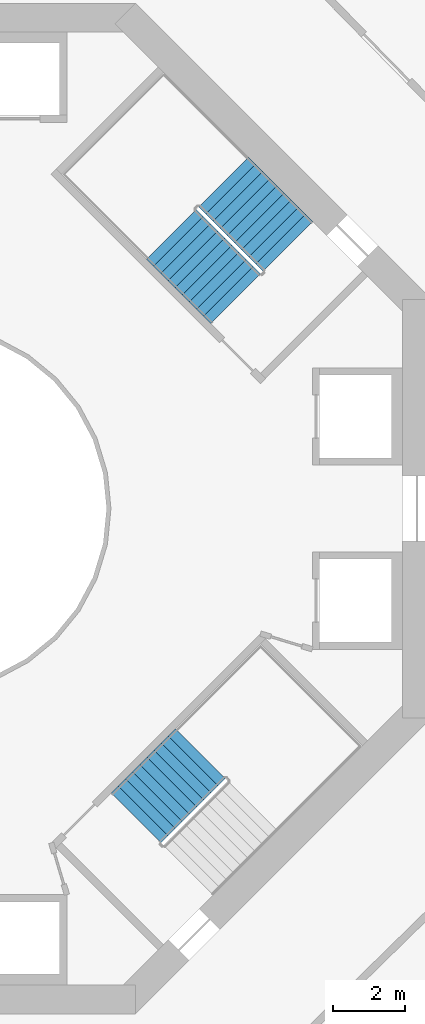
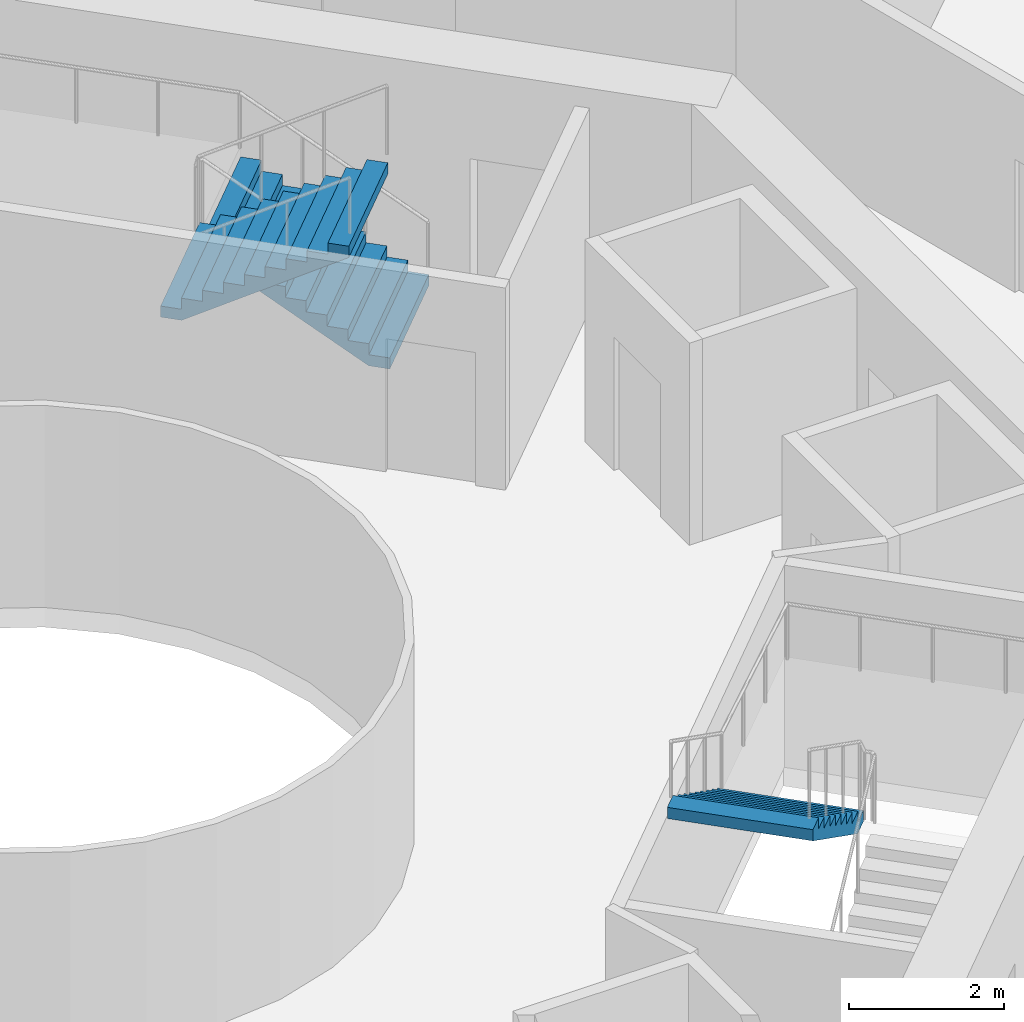
# One storey, part 25 of 26: 3 stair flights, 2 elements without a shape of their own.
"""IFC4 building model written with IfcOpenShell, lengths in metres."""

from ifc_helpers import new_model, si_unit, direction, frame, origin, place, context, subcontext, project, spatial, triangles, material, type_object, element, aggregate, save


model = new_model("IFC4")

# Units and contexts
model_context = context("Model", 3, precision=1e-05, world=origin(), true_north=direction((0.0, 1.0)))
body_context = subcontext(model_context, "Body", "Model", "MODEL_VIEW")
ifc_project = project(units=[si_unit("LENGTHUNIT", "METRE"), si_unit("AREAUNIT", "SQUARE_METRE"), si_unit("VOLUMEUNIT", "CUBIC_METRE"), si_unit("PLANEANGLEUNIT", "RADIAN"), si_unit("MASSUNIT", "GRAM", prefix="KILO")], contexts=[model_context])

# Site, building, storey
site_placement = place(None, origin())
site = spatial("IfcSite", under=ifc_project, at=site_placement, CompositionType="ELEMENT")
building_placement = place(site_placement, origin())
building = spatial("IfcBuilding", under=site, at=building_placement, Name="Verdalira Terraces Hotel", CompositionType="ELEMENT")
storey_placement = place(building_placement, frame((0.0, 0.0, 93.0)))
storey = spatial("IfcBuildingStorey", under=building, at=storey_placement, Name="L21", CompositionType="ELEMENT", Elevation=93.0)

# Stair, stair flights
ifc_material_1 = material(Name="Concrete C40", Category="concrete")
stair_type = type_object("IfcStairType", Name="Core stair 20 risers 1950 mm wide", PredefinedType="HALF_TURN_STAIR", material=ifc_material_1)
stair_1_placement = place(storey_placement, origin())
stair_1 = element("IfcStair", 1, at=stair_1_placement, inside=storey, type_object=stair_type, Name="L21 Exit stair ST1", PredefinedType="HALF_TURN_STAIR")
ifc_material_2 = material(Name="Concrete C40", Category="concrete")
stair_flight_type = type_object("IfcStairFlightType", Name="Core stair flight 20 risers 1950 mm wide", PredefinedType="STRAIGHT", material=ifc_material_2)
stair_flight_1_placement = place(storey_placement, frame((10.023193, 7.265625, 0.0), z_axis=(0.0, 0.0, 1.0), x_axis=(-0.707106781, 0.707106781, 0.0)))
stair_flight_1 = element("IfcStairFlight", 2, at=stair_flight_1_placement, type_object=stair_flight_type, Name="ST1 flight 1", NumberOfRisers=10, NumberOfTreads=9, PredefinedType="STRAIGHT", RiserHeight=0.175, TreadLength=0.28, context=body_context, shape_type="Tessellation", body=[
    triangles([(0.0, 0.974976, 0.0), (0.282715, 0.974976, 0.0), (2.52002, 0.974976, 1.398193), (0.0, -0.974976, 0.0), (0.282715, -0.974976, 0.0), (2.52002, -0.974976, 1.398193), (2.52002, 0.974976, 1.574951), (2.23999, 0.974976, 1.574951), (2.52002, -0.974976, 1.574951), (2.23999, -0.974976, 1.574951), (2.23999, 0.974976, 1.399902), (2.23999, -0.974976, 1.399902), (1.959961, 0.974976, 1.399902), (1.959961, -0.974976, 1.399902), (1.959961, 0.974976, 1.225098), (1.959961, -0.974976, 1.225098), (1.679932, 0.974976, 1.225098), (1.679932, 0.974976, 1.050049), (1.679932, -0.974976, 1.225098), (1.679932, -0.974976, 1.050049), (1.399902, 0.974976, 1.050049), (1.399902, 0.974976, 0.875), (1.399902, -0.974976, 1.050049), (1.399902, -0.974976, 0.875), (1.120117, 0.974976, 0.875), (1.120117, 0.974976, 0.699951), (1.120117, -0.974976, 0.875), (1.120117, -0.974976, 0.699951), (0.840088, 0.974976, 0.699951), (0.840088, 0.974976, 0.524902), (0.840088, -0.974976, 0.699951), (0.840088, -0.974976, 0.524902), (0.560059, 0.974976, 0.524902), (0.560059, 0.974976, 0.350098), (0.560059, -0.974976, 0.524902), (0.560059, -0.974976, 0.350098), (0.280029, 0.974976, 0.350098), (0.280029, 0.974976, 0.175049), (0.280029, -0.974976, 0.350098), (0.280029, -0.974976, 0.175049), (0.0, 0.974976, 0.175049), (0.0, -0.974976, 0.175049), (0.0, -0.91404, 0.0), (0.0, -0.91404, 0.175049), (0.0, -0.853104, 0.0), (0.0, -0.853104, 0.175049), (0.0, -0.792168, 0.0), (0.0, -0.792168, 0.175049), (0.0, -0.731232, 0.0), (0.0, -0.731232, 0.175049), (0.0, -0.670296, 0.0), (0.0, -0.670296, 0.175049), (0.0, -0.60936, 0.0), (0.0, -0.60936, 0.175049), (0.0, -0.548424, 0.0), (0.0, -0.548424, 0.175049), (0.0, -0.487488, 0.0), (0.0, -0.487488, 0.175049), (0.0, -0.426552, 0.0), (0.0, -0.426552, 0.175049), (0.0, -0.365616, 0.0), (0.0, -0.365616, 0.175049), (0.0, -0.30468, 0.0), (0.0, -0.30468, 0.175049), (0.0, -0.243744, 0.0), (0.0, -0.243744, 0.175049), (0.0, -0.182808, 0.0), (0.0, -0.182808, 0.175049), (0.0, -0.121872, 0.0), (0.0, -0.121872, 0.175049), (0.0, -0.060936, 0.0), (0.0, -0.060936, 0.175049), (0.0, 0.0, 0.0), (0.0, 0.0, 0.175049), (0.0, 0.060936, 0.0), (0.0, 0.060936, 0.175049), (0.0, 0.121872, 0.0), (0.0, 0.121872, 0.175049), (0.0, 0.182808, 0.0), (0.0, 0.182808, 0.175049), (0.0, 0.243744, 0.0), (0.0, 0.243744, 0.175049), (0.0, 0.30468, 0.0), (0.0, 0.30468, 0.175049), (0.0, 0.365616, 0.0), (0.0, 0.365616, 0.175049), (0.0, 0.426552, 0.0), (0.0, 0.426552, 0.175049), (0.0, 0.487488, 0.0), (0.0, 0.487488, 0.175049), (0.0, 0.548424, 0.0), (0.0, 0.548424, 0.175049), (0.0, 0.60936, 0.0), (0.0, 0.60936, 0.175049), (0.0, 0.670296, 0.0), (0.0, 0.670296, 0.175049), (0.0, 0.731232, 0.0), (0.0, 0.731232, 0.175049), (0.0, 0.792168, 0.0), (0.0, 0.792168, 0.175049), (0.0, 0.853104, 0.0), (0.0, 0.853104, 0.175049), (0.0, 0.91404, 0.0), (0.0, 0.91404, 0.175049), (2.52002, -0.91404, 1.574951), (2.52002, -0.853104, 1.574951), (2.52002, -0.792168, 1.574951), (2.52002, -0.731232, 1.574951), (2.52002, -0.670296, 1.574951), (2.52002, -0.60936, 1.574951), (2.52002, -0.548424, 1.574951), (2.52002, -0.487488, 1.574951), (2.52002, -0.426552, 1.574951), (2.52002, -0.365616, 1.574951), (2.52002, -0.30468, 1.574951), (2.52002, -0.243744, 1.574951), (2.52002, -0.182808, 1.574951), (2.52002, -0.121872, 1.574951), (2.52002, -0.060936, 1.574951), (2.52002, 0.0, 1.574951), (2.52002, 0.060936, 1.574951), (2.52002, 0.121872, 1.574951), (2.52002, 0.182808, 1.574951), (2.52002, 0.243744, 1.574951), (2.52002, 0.30468, 1.574951), (2.52002, 0.365616, 1.574951), (2.52002, 0.426552, 1.574951), (2.52002, 0.487488, 1.574951), (2.52002, 0.548424, 1.574951), (2.52002, 0.60936, 1.574951), (2.52002, 0.670296, 1.574951), (2.52002, 0.731232, 1.574951), (2.52002, 0.792168, 1.574951), (2.52002, 0.853104, 1.574951), (2.52002, 0.91404, 1.574951), (2.52002, -0.91404, 1.398193), (2.52002, -0.853104, 1.398193), (2.52002, -0.792168, 1.398193), (2.52002, -0.731232, 1.398193), (2.52002, -0.670296, 1.398193), (2.52002, -0.60936, 1.398193), (2.52002, -0.548424, 1.398193), (2.52002, -0.487488, 1.398193), (2.52002, -0.426552, 1.398193), (2.52002, -0.365616, 1.398193), (2.52002, -0.30468, 1.398193), (2.52002, -0.243744, 1.398193), (2.52002, -0.182808, 1.398193), (2.52002, -0.121872, 1.398193), (2.52002, -0.060936, 1.398193), (2.52002, 0.0, 1.398193), (2.52002, 0.060936, 1.398193), (2.52002, 0.121872, 1.398193), (2.52002, 0.182808, 1.398193), (2.52002, 0.243744, 1.398193), (2.52002, 0.30468, 1.398193), (2.52002, 0.365616, 1.398193), (2.52002, 0.426552, 1.398193), (2.52002, 0.487488, 1.398193), (2.52002, 0.548424, 1.398193), (2.52002, 0.60936, 1.398193), (2.52002, 0.670296, 1.398193), (2.52002, 0.731232, 1.398193), (2.52002, 0.792168, 1.398193), (2.52002, 0.853104, 1.398193), (2.52002, 0.91404, 1.398193)], [[1, 3, 2], [4, 5, 6], [3, 8, 7], [6, 9, 10], [3, 11, 8], [6, 10, 12], [3, 13, 11], [6, 12, 14], [3, 15, 13], [6, 14, 16], [15, 18, 17], [16, 19, 20], [3, 18, 15], [6, 16, 20], [18, 22, 21], [20, 23, 24], [3, 22, 18], [6, 20, 24], [22, 26, 25], [24, 27, 28], [3, 26, 22], [6, 24, 28], [26, 30, 29], [28, 31, 32], [3, 30, 26], [6, 28, 32], [1, 30, 3], [4, 6, 32], [30, 34, 33], [32, 35, 36], [34, 38, 37], [36, 39, 40], [30, 38, 34], [32, 36, 40], [1, 38, 30], [4, 32, 40], [38, 1, 41], [40, 42, 4], [4, 44, 43], [4, 42, 44], [43, 46, 45], [43, 44, 46], [45, 48, 47], [45, 46, 48], [47, 50, 49], [47, 48, 50], [49, 52, 51], [49, 50, 52], [51, 54, 53], [51, 52, 54], [53, 56, 55], [53, 54, 56], [55, 58, 57], [55, 56, 58], [57, 60, 59], [57, 58, 60], [59, 62, 61], [59, 60, 62], [61, 64, 63], [61, 62, 64], [63, 66, 65], [63, 64, 66], [65, 68, 67], [65, 66, 68], [67, 70, 69], [67, 68, 70], [69, 72, 71], [69, 70, 72], [71, 74, 73], [71, 72, 74], [73, 76, 75], [73, 74, 76], [75, 78, 77], [75, 76, 78], [77, 80, 79], [77, 78, 80], [79, 82, 81], [79, 80, 82], [81, 84, 83], [81, 82, 84], [83, 86, 85], [83, 84, 86], [85, 88, 87], [85, 86, 88], [87, 90, 89], [87, 88, 90], [89, 92, 91], [89, 90, 92], [91, 94, 93], [91, 92, 94], [93, 96, 95], [93, 94, 96], [95, 98, 97], [95, 96, 98], [97, 100, 99], [97, 98, 100], [99, 102, 101], [99, 100, 102], [101, 104, 103], [101, 102, 104], [103, 41, 1], [103, 104, 41], [42, 40, 44], [44, 40, 46], [46, 40, 48], [48, 40, 50], [50, 40, 52], [52, 40, 54], [54, 40, 56], [56, 40, 58], [58, 40, 60], [60, 40, 62], [62, 40, 64], [64, 40, 66], [66, 40, 68], [68, 40, 70], [70, 40, 72], [72, 40, 74], [74, 40, 76], [76, 40, 78], [78, 40, 80], [80, 40, 82], [82, 40, 84], [84, 40, 86], [86, 40, 88], [88, 40, 90], [90, 40, 92], [92, 40, 94], [94, 40, 96], [96, 40, 98], [98, 40, 100], [100, 40, 102], [102, 40, 104], [104, 40, 41], [41, 40, 38], [40, 37, 38], [40, 39, 37], [39, 34, 37], [39, 36, 34], [36, 33, 34], [36, 35, 33], [35, 30, 33], [35, 32, 30], [32, 29, 30], [32, 31, 29], [31, 26, 29], [31, 28, 26], [28, 25, 26], [28, 27, 25], [27, 22, 25], [27, 24, 22], [24, 21, 22], [24, 23, 21], [23, 18, 21], [23, 20, 18], [20, 17, 18], [20, 19, 17], [19, 15, 17], [19, 16, 15], [16, 13, 15], [16, 14, 13], [14, 11, 13], [14, 12, 11], [12, 8, 11], [12, 10, 8], [9, 105, 10], [105, 106, 10], [106, 107, 10], [107, 108, 10], [108, 109, 10], [109, 110, 10], [110, 111, 10], [111, 112, 10], [112, 113, 10], [113, 114, 10], [114, 115, 10], [115, 116, 10], [116, 117, 10], [117, 118, 10], [118, 119, 10], [119, 120, 10], [120, 121, 10], [121, 122, 10], [122, 123, 10], [123, 124, 10], [124, 125, 10], [125, 126, 10], [126, 127, 10], [127, 128, 10], [128, 129, 10], [129, 130, 10], [130, 131, 10], [131, 132, 10], [132, 133, 10], [133, 134, 10], [134, 135, 10], [135, 7, 10], [7, 8, 10], [9, 136, 105], [9, 6, 136], [105, 137, 106], [105, 136, 137], [106, 138, 107], [106, 137, 138], [107, 139, 108], [107, 138, 139], [108, 140, 109], [108, 139, 140], [109, 141, 110], [109, 140, 141], [110, 142, 111], [110, 141, 142], [111, 143, 112], [111, 142, 143], [112, 144, 113], [112, 143, 144], [113, 145, 114], [113, 144, 145], [114, 146, 115], [114, 145, 146], [115, 147, 116], [115, 146, 147], [116, 148, 117], [116, 147, 148], [117, 149, 118], [117, 148, 149], [118, 150, 119], [118, 149, 150], [119, 151, 120], [119, 150, 151], [120, 152, 121], [120, 151, 152], [121, 153, 122], [121, 152, 153], [122, 154, 123], [122, 153, 154], [123, 155, 124], [123, 154, 155], [124, 156, 125], [124, 155, 156], [125, 157, 126], [125, 156, 157], [126, 158, 127], [126, 157, 158], [127, 159, 128], [127, 158, 159], [128, 160, 129], [128, 159, 160], [129, 161, 130], [129, 160, 161], [130, 162, 131], [130, 161, 162], [131, 163, 132], [131, 162, 163], [132, 164, 133], [132, 163, 164], [133, 165, 134], [133, 164, 165], [134, 166, 135], [134, 165, 166], [135, 3, 7], [135, 166, 3], [6, 5, 136], [136, 5, 137], [137, 5, 138], [138, 5, 139], [139, 5, 140], [140, 5, 141], [141, 5, 142], [142, 5, 143], [143, 5, 144], [144, 5, 145], [145, 5, 146], [146, 5, 147], [147, 5, 148], [148, 5, 149], [149, 5, 150], [150, 5, 151], [151, 5, 152], [152, 5, 153], [153, 5, 154], [154, 5, 155], [155, 5, 156], [156, 5, 157], [157, 5, 158], [158, 5, 159], [159, 5, 160], [160, 5, 161], [161, 5, 162], [162, 5, 163], [163, 5, 164], [164, 5, 165], [165, 5, 166], [166, 5, 3], [3, 5, 2], [4, 43, 5], [43, 45, 5], [45, 47, 5], [47, 49, 5], [49, 51, 5], [51, 53, 5], [53, 55, 5], [55, 57, 5], [57, 59, 5], [59, 61, 5], [61, 63, 5], [63, 65, 5], [65, 67, 5], [67, 69, 5], [69, 71, 5], [71, 73, 5], [73, 75, 5], [75, 77, 5], [77, 79, 5], [79, 81, 5], [81, 83, 5], [83, 85, 5], [85, 87, 5], [87, 89, 5], [89, 91, 5], [91, 93, 5], [93, 95, 5], [95, 97, 5], [97, 99, 5], [99, 101, 5], [101, 103, 5], [103, 1, 5], [1, 2, 5]], closed=True),
])
stair_flight_2_placement = place(storey_placement, frame((6.791748, 7.5979, 1.75), z_axis=(0.0, 0.0, 1.0), x_axis=(0.707106781, -0.707106781, 0.0)))
stair_flight_2 = element("IfcStairFlight", 3, at=stair_flight_2_placement, type_object=stair_flight_type, Name="ST1 flight 2", NumberOfRisers=10, NumberOfTreads=9, PredefinedType="STRAIGHT", RiserHeight=0.175, TreadLength=0.28, context=body_context, shape_type="Tessellation", body=[
    triangles([(0.0, 0.974976, 0.0), (0.282715, 0.974976, 0.0), (2.52002, 0.974976, 1.398193), (0.0, -0.974976, 0.0), (0.282715, -0.974976, 0.0), (2.52002, -0.974976, 1.398193), (2.52002, 0.974976, 1.574951), (2.23999, 0.974976, 1.574951), (2.52002, -0.974976, 1.574951), (2.23999, -0.974976, 1.574951), (2.23999, 0.974976, 1.399902), (2.23999, -0.974976, 1.399902), (1.959961, 0.974976, 1.399902), (1.959961, -0.974976, 1.399902), (1.959961, 0.974976, 1.225098), (1.959961, -0.974976, 1.225098), (1.679932, 0.974976, 1.225098), (1.679932, 0.974976, 1.050049), (1.679932, -0.974976, 1.225098), (1.679932, -0.974976, 1.050049), (1.399902, 0.974976, 1.050049), (1.399902, 0.974976, 0.875), (1.399902, -0.974976, 1.050049), (1.399902, -0.974976, 0.875), (1.120117, 0.974976, 0.875), (1.120117, 0.974976, 0.699951), (1.120117, -0.974976, 0.875), (1.120117, -0.974976, 0.699951), (0.840088, 0.974976, 0.699951), (0.840088, 0.974976, 0.524902), (0.840088, -0.974976, 0.699951), (0.840088, -0.974976, 0.524902), (0.560059, 0.974976, 0.524902), (0.560059, 0.974976, 0.350098), (0.560059, -0.974976, 0.524902), (0.560059, -0.974976, 0.350098), (0.280029, 0.974976, 0.350098), (0.280029, 0.974976, 0.175049), (0.280029, -0.974976, 0.350098), (0.280029, -0.974976, 0.175049), (0.0, 0.974976, 0.175049), (0.0, -0.974976, 0.175049), (0.0, -0.91404, 0.0), (0.0, -0.91404, 0.175049), (0.0, -0.853104, 0.0), (0.0, -0.853104, 0.175049), (0.0, -0.792168, 0.0), (0.0, -0.792168, 0.175049), (0.0, -0.731232, 0.0), (0.0, -0.731232, 0.175049), (0.0, -0.670296, 0.0), (0.0, -0.670296, 0.175049), (0.0, -0.60936, 0.0), (0.0, -0.60936, 0.175049), (0.0, -0.548424, 0.0), (0.0, -0.548424, 0.175049), (0.0, -0.487488, 0.0), (0.0, -0.487488, 0.175049), (0.0, -0.426552, 0.0), (0.0, -0.426552, 0.175049), (0.0, -0.365616, 0.0), (0.0, -0.365616, 0.175049), (0.0, -0.30468, 0.0), (0.0, -0.30468, 0.175049), (0.0, -0.243744, 0.0), (0.0, -0.243744, 0.175049), (0.0, -0.182808, 0.0), (0.0, -0.182808, 0.175049), (0.0, -0.121872, 0.0), (0.0, -0.121872, 0.175049), (0.0, -0.060936, 0.0), (0.0, -0.060936, 0.175049), (0.0, 0.0, 0.0), (0.0, 0.0, 0.175049), (0.0, 0.060936, 0.0), (0.0, 0.060936, 0.175049), (0.0, 0.121872, 0.0), (0.0, 0.121872, 0.175049), (0.0, 0.182808, 0.0), (0.0, 0.182808, 0.175049), (0.0, 0.243744, 0.0), (0.0, 0.243744, 0.175049), (0.0, 0.30468, 0.0), (0.0, 0.30468, 0.175049), (0.0, 0.365616, 0.0), (0.0, 0.365616, 0.175049), (0.0, 0.426552, 0.0), (0.0, 0.426552, 0.175049), (0.0, 0.487488, 0.0), (0.0, 0.487488, 0.175049), (0.0, 0.548424, 0.0), (0.0, 0.548424, 0.175049), (0.0, 0.60936, 0.0), (0.0, 0.60936, 0.175049), (0.0, 0.670296, 0.0), (0.0, 0.670296, 0.175049), (0.0, 0.731232, 0.0), (0.0, 0.731232, 0.175049), (0.0, 0.792168, 0.0), (0.0, 0.792168, 0.175049), (0.0, 0.853104, 0.0), (0.0, 0.853104, 0.175049), (0.0, 0.91404, 0.0), (0.0, 0.91404, 0.175049), (2.52002, -0.91404, 1.574951), (2.52002, -0.853104, 1.574951), (2.52002, -0.792168, 1.574951), (2.52002, -0.731232, 1.574951), (2.52002, -0.670296, 1.574951), (2.52002, -0.60936, 1.574951), (2.52002, -0.548424, 1.574951), (2.52002, -0.487488, 1.574951), (2.52002, -0.426552, 1.574951), (2.52002, -0.365616, 1.574951), (2.52002, -0.30468, 1.574951), (2.52002, -0.243744, 1.574951), (2.52002, -0.182808, 1.574951), (2.52002, -0.121872, 1.574951), (2.52002, -0.060936, 1.574951), (2.52002, 0.0, 1.574951), (2.52002, 0.060936, 1.574951), (2.52002, 0.121872, 1.574951), (2.52002, 0.182808, 1.574951), (2.52002, 0.243744, 1.574951), (2.52002, 0.30468, 1.574951), (2.52002, 0.365616, 1.574951), (2.52002, 0.426552, 1.574951), (2.52002, 0.487488, 1.574951), (2.52002, 0.548424, 1.574951), (2.52002, 0.60936, 1.574951), (2.52002, 0.670296, 1.574951), (2.52002, 0.731232, 1.574951), (2.52002, 0.792168, 1.574951), (2.52002, 0.853104, 1.574951), (2.52002, 0.91404, 1.574951), (2.52002, -0.91404, 1.398193), (2.52002, -0.853104, 1.398193), (2.52002, -0.792168, 1.398193), (2.52002, -0.731232, 1.398193), (2.52002, -0.670296, 1.398193), (2.52002, -0.60936, 1.398193), (2.52002, -0.548424, 1.398193), (2.52002, -0.487488, 1.398193), (2.52002, -0.426552, 1.398193), (2.52002, -0.365616, 1.398193), (2.52002, -0.30468, 1.398193), (2.52002, -0.243744, 1.398193), (2.52002, -0.182808, 1.398193), (2.52002, -0.121872, 1.398193), (2.52002, -0.060936, 1.398193), (2.52002, 0.0, 1.398193), (2.52002, 0.060936, 1.398193), (2.52002, 0.121872, 1.398193), (2.52002, 0.182808, 1.398193), (2.52002, 0.243744, 1.398193), (2.52002, 0.30468, 1.398193), (2.52002, 0.365616, 1.398193), (2.52002, 0.426552, 1.398193), (2.52002, 0.487488, 1.398193), (2.52002, 0.548424, 1.398193), (2.52002, 0.60936, 1.398193), (2.52002, 0.670296, 1.398193), (2.52002, 0.731232, 1.398193), (2.52002, 0.792168, 1.398193), (2.52002, 0.853104, 1.398193), (2.52002, 0.91404, 1.398193)], [[1, 3, 2], [4, 5, 6], [3, 8, 7], [6, 9, 10], [3, 11, 8], [6, 10, 12], [3, 13, 11], [6, 12, 14], [3, 15, 13], [6, 14, 16], [15, 18, 17], [16, 19, 20], [3, 18, 15], [6, 16, 20], [18, 22, 21], [20, 23, 24], [3, 22, 18], [6, 20, 24], [22, 26, 25], [24, 27, 28], [3, 26, 22], [6, 24, 28], [26, 30, 29], [28, 31, 32], [3, 30, 26], [6, 28, 32], [1, 30, 3], [4, 6, 32], [30, 34, 33], [32, 35, 36], [34, 38, 37], [36, 39, 40], [30, 38, 34], [32, 36, 40], [1, 38, 30], [4, 32, 40], [38, 1, 41], [40, 42, 4], [4, 44, 43], [4, 42, 44], [43, 46, 45], [43, 44, 46], [45, 48, 47], [45, 46, 48], [47, 50, 49], [47, 48, 50], [49, 52, 51], [49, 50, 52], [51, 54, 53], [51, 52, 54], [53, 56, 55], [53, 54, 56], [55, 58, 57], [55, 56, 58], [57, 60, 59], [57, 58, 60], [59, 62, 61], [59, 60, 62], [61, 64, 63], [61, 62, 64], [63, 66, 65], [63, 64, 66], [65, 68, 67], [65, 66, 68], [67, 70, 69], [67, 68, 70], [69, 72, 71], [69, 70, 72], [71, 74, 73], [71, 72, 74], [73, 76, 75], [73, 74, 76], [75, 78, 77], [75, 76, 78], [77, 80, 79], [77, 78, 80], [79, 82, 81], [79, 80, 82], [81, 84, 83], [81, 82, 84], [83, 86, 85], [83, 84, 86], [85, 88, 87], [85, 86, 88], [87, 90, 89], [87, 88, 90], [89, 92, 91], [89, 90, 92], [91, 94, 93], [91, 92, 94], [93, 96, 95], [93, 94, 96], [95, 98, 97], [95, 96, 98], [97, 100, 99], [97, 98, 100], [99, 102, 101], [99, 100, 102], [101, 104, 103], [101, 102, 104], [103, 41, 1], [103, 104, 41], [42, 40, 44], [44, 40, 46], [46, 40, 48], [48, 40, 50], [50, 40, 52], [52, 40, 54], [54, 40, 56], [56, 40, 58], [58, 40, 60], [60, 40, 62], [62, 40, 64], [64, 40, 66], [66, 40, 68], [68, 40, 70], [70, 40, 72], [72, 40, 74], [74, 40, 76], [76, 40, 78], [78, 40, 80], [80, 40, 82], [82, 40, 84], [84, 40, 86], [86, 40, 88], [88, 40, 90], [90, 40, 92], [92, 40, 94], [94, 40, 96], [96, 40, 98], [98, 40, 100], [100, 40, 102], [102, 40, 104], [104, 40, 41], [41, 40, 38], [40, 37, 38], [40, 39, 37], [39, 34, 37], [39, 36, 34], [36, 33, 34], [36, 35, 33], [35, 30, 33], [35, 32, 30], [32, 29, 30], [32, 31, 29], [31, 26, 29], [31, 28, 26], [28, 25, 26], [28, 27, 25], [27, 22, 25], [27, 24, 22], [24, 21, 22], [24, 23, 21], [23, 18, 21], [23, 20, 18], [20, 17, 18], [20, 19, 17], [19, 15, 17], [19, 16, 15], [16, 13, 15], [16, 14, 13], [14, 11, 13], [14, 12, 11], [12, 8, 11], [12, 10, 8], [9, 105, 10], [105, 106, 10], [106, 107, 10], [107, 108, 10], [108, 109, 10], [109, 110, 10], [110, 111, 10], [111, 112, 10], [112, 113, 10], [113, 114, 10], [114, 115, 10], [115, 116, 10], [116, 117, 10], [117, 118, 10], [118, 119, 10], [119, 120, 10], [120, 121, 10], [121, 122, 10], [122, 123, 10], [123, 124, 10], [124, 125, 10], [125, 126, 10], [126, 127, 10], [127, 128, 10], [128, 129, 10], [129, 130, 10], [130, 131, 10], [131, 132, 10], [132, 133, 10], [133, 134, 10], [134, 135, 10], [135, 7, 10], [7, 8, 10], [9, 136, 105], [9, 6, 136], [105, 137, 106], [105, 136, 137], [106, 138, 107], [106, 137, 138], [107, 139, 108], [107, 138, 139], [108, 140, 109], [108, 139, 140], [109, 141, 110], [109, 140, 141], [110, 142, 111], [110, 141, 142], [111, 143, 112], [111, 142, 143], [112, 144, 113], [112, 143, 144], [113, 145, 114], [113, 144, 145], [114, 146, 115], [114, 145, 146], [115, 147, 116], [115, 146, 147], [116, 148, 117], [116, 147, 148], [117, 149, 118], [117, 148, 149], [118, 150, 119], [118, 149, 150], [119, 151, 120], [119, 150, 151], [120, 152, 121], [120, 151, 152], [121, 153, 122], [121, 152, 153], [122, 154, 123], [122, 153, 154], [123, 155, 124], [123, 154, 155], [124, 156, 125], [124, 155, 156], [125, 157, 126], [125, 156, 157], [126, 158, 127], [126, 157, 158], [127, 159, 128], [127, 158, 159], [128, 160, 129], [128, 159, 160], [129, 161, 130], [129, 160, 161], [130, 162, 131], [130, 161, 162], [131, 163, 132], [131, 162, 163], [132, 164, 133], [132, 163, 164], [133, 165, 134], [133, 164, 165], [134, 166, 135], [134, 165, 166], [135, 3, 7], [135, 166, 3], [6, 5, 136], [136, 5, 137], [137, 5, 138], [138, 5, 139], [139, 5, 140], [140, 5, 141], [141, 5, 142], [142, 5, 143], [143, 5, 144], [144, 5, 145], [145, 5, 146], [146, 5, 147], [147, 5, 148], [148, 5, 149], [149, 5, 150], [150, 5, 151], [151, 5, 152], [152, 5, 153], [153, 5, 154], [154, 5, 155], [155, 5, 156], [156, 5, 157], [157, 5, 158], [158, 5, 159], [159, 5, 160], [160, 5, 161], [161, 5, 162], [162, 5, 163], [163, 5, 164], [164, 5, 165], [165, 5, 166], [166, 5, 3], [3, 5, 2], [4, 43, 5], [43, 45, 5], [45, 47, 5], [47, 49, 5], [49, 51, 5], [51, 53, 5], [53, 55, 5], [55, 57, 5], [57, 59, 5], [59, 61, 5], [61, 63, 5], [63, 65, 5], [65, 67, 5], [67, 69, 5], [69, 71, 5], [71, 73, 5], [73, 75, 5], [75, 77, 5], [77, 79, 5], [79, 81, 5], [81, 83, 5], [83, 85, 5], [85, 87, 5], [87, 89, 5], [89, 91, 5], [91, 93, 5], [93, 95, 5], [95, 97, 5], [97, 99, 5], [99, 101, 5], [101, 103, 5], [103, 1, 5], [1, 2, 5]], closed=True),
])
aggregate(stair_1, [stair_flight_1, stair_flight_2])

# Stair, stair flight
stair_2_placement = place(storey_placement, origin())
stair_2 = element("IfcStair", 4, at=stair_2_placement, inside=storey, type_object=stair_type, Name="L21 Exit stair ST3", PredefinedType="HALF_TURN_STAIR")
stair_flight_3_placement = place(storey_placement, frame((7.5979, -6.791748, 1.75), z_axis=(0.0, 0.0, 1.0), x_axis=(-0.707106781, -0.707106781, 0.0)))
stair_flight_3 = element("IfcStairFlight", 5, at=stair_flight_3_placement, type_object=stair_flight_type, Name="ST3 flight 2", NumberOfRisers=10, NumberOfTreads=9, PredefinedType="STRAIGHT", RiserHeight=0.175, TreadLength=0.28, context=body_context, shape_type="Tessellation", body=[
    triangles([(0.0, 0.974976, 0.0), (0.282715, 0.974976, 0.0), (2.52002, 0.974976, 1.398193), (0.0, -0.974976, 0.0), (0.282715, -0.974976, 0.0), (2.52002, -0.974976, 1.398193), (2.52002, 0.974976, 1.574951), (2.23999, 0.974976, 1.574951), (2.52002, -0.974976, 1.574951), (2.23999, -0.974976, 1.574951), (2.23999, 0.974976, 1.399902), (2.23999, -0.974976, 1.399902), (1.959961, 0.974976, 1.399902), (1.959961, -0.974976, 1.399902), (1.959961, 0.974976, 1.225098), (1.959961, -0.974976, 1.225098), (1.679932, 0.974976, 1.225098), (1.679932, 0.974976, 1.050049), (1.679932, -0.974976, 1.225098), (1.679932, -0.974976, 1.050049), (1.399902, 0.974976, 1.050049), (1.399902, 0.974976, 0.875), (1.399902, -0.974976, 1.050049), (1.399902, -0.974976, 0.875), (1.120117, 0.974976, 0.875), (1.120117, 0.974976, 0.699951), (1.120117, -0.974976, 0.875), (1.120117, -0.974976, 0.699951), (0.840088, 0.974976, 0.699951), (0.840088, 0.974976, 0.524902), (0.840088, -0.974976, 0.699951), (0.840088, -0.974976, 0.524902), (0.560059, 0.974976, 0.524902), (0.560059, 0.974976, 0.350098), (0.560059, -0.974976, 0.524902), (0.560059, -0.974976, 0.350098), (0.280029, 0.974976, 0.350098), (0.280029, 0.974976, 0.175049), (0.280029, -0.974976, 0.350098), (0.280029, -0.974976, 0.175049), (0.0, 0.974976, 0.175049), (0.0, -0.974976, 0.175049), (0.0, -0.91404, 0.0), (0.0, -0.91404, 0.175049), (0.0, -0.853104, 0.0), (0.0, -0.853104, 0.175049), (0.0, -0.792168, 0.0), (0.0, -0.792168, 0.175049), (0.0, -0.731232, 0.0), (0.0, -0.731232, 0.175049), (0.0, -0.670296, 0.0), (0.0, -0.670296, 0.175049), (0.0, -0.60936, 0.0), (0.0, -0.60936, 0.175049), (0.0, -0.548424, 0.0), (0.0, -0.548424, 0.175049), (0.0, -0.487488, 0.0), (0.0, -0.487488, 0.175049), (0.0, -0.426552, 0.0), (0.0, -0.426552, 0.175049), (0.0, -0.365616, 0.0), (0.0, -0.365616, 0.175049), (0.0, -0.30468, 0.0), (0.0, -0.30468, 0.175049), (0.0, -0.243744, 0.0), (0.0, -0.243744, 0.175049), (0.0, -0.182808, 0.0), (0.0, -0.182808, 0.175049), (0.0, -0.121872, 0.0), (0.0, -0.121872, 0.175049), (0.0, -0.060936, 0.0), (0.0, -0.060936, 0.175049), (0.0, 0.0, 0.0), (0.0, 0.0, 0.175049), (0.0, 0.060936, 0.0), (0.0, 0.060936, 0.175049), (0.0, 0.121872, 0.0), (0.0, 0.121872, 0.175049), (0.0, 0.182808, 0.0), (0.0, 0.182808, 0.175049), (0.0, 0.243744, 0.0), (0.0, 0.243744, 0.175049), (0.0, 0.30468, 0.0), (0.0, 0.30468, 0.175049), (0.0, 0.365616, 0.0), (0.0, 0.365616, 0.175049), (0.0, 0.426552, 0.0), (0.0, 0.426552, 0.175049), (0.0, 0.487488, 0.0), (0.0, 0.487488, 0.175049), (0.0, 0.548424, 0.0), (0.0, 0.548424, 0.175049), (0.0, 0.60936, 0.0), (0.0, 0.60936, 0.175049), (0.0, 0.670296, 0.0), (0.0, 0.670296, 0.175049), (0.0, 0.731232, 0.0), (0.0, 0.731232, 0.175049), (0.0, 0.792168, 0.0), (0.0, 0.792168, 0.175049), (0.0, 0.853104, 0.0), (0.0, 0.853104, 0.175049), (0.0, 0.91404, 0.0), (0.0, 0.91404, 0.175049), (2.52002, -0.91404, 1.574951), (2.52002, -0.853104, 1.574951), (2.52002, -0.792168, 1.574951), (2.52002, -0.731232, 1.574951), (2.52002, -0.670296, 1.574951), (2.52002, -0.60936, 1.574951), (2.52002, -0.548424, 1.574951), (2.52002, -0.487488, 1.574951), (2.52002, -0.426552, 1.574951), (2.52002, -0.365616, 1.574951), (2.52002, -0.30468, 1.574951), (2.52002, -0.243744, 1.574951), (2.52002, -0.182808, 1.574951), (2.52002, -0.121872, 1.574951), (2.52002, -0.060936, 1.574951), (2.52002, 0.0, 1.574951), (2.52002, 0.060936, 1.574951), (2.52002, 0.121872, 1.574951), (2.52002, 0.182808, 1.574951), (2.52002, 0.243744, 1.574951), (2.52002, 0.30468, 1.574951), (2.52002, 0.365616, 1.574951), (2.52002, 0.426552, 1.574951), (2.52002, 0.487488, 1.574951), (2.52002, 0.548424, 1.574951), (2.52002, 0.60936, 1.574951), (2.52002, 0.670296, 1.574951), (2.52002, 0.731232, 1.574951), (2.52002, 0.792168, 1.574951), (2.52002, 0.853104, 1.574951), (2.52002, 0.91404, 1.574951), (2.52002, -0.91404, 1.398193), (2.52002, -0.853104, 1.398193), (2.52002, -0.792168, 1.398193), (2.52002, -0.731232, 1.398193), (2.52002, -0.670296, 1.398193), (2.52002, -0.60936, 1.398193), (2.52002, -0.548424, 1.398193), (2.52002, -0.487488, 1.398193), (2.52002, -0.426552, 1.398193), (2.52002, -0.365616, 1.398193), (2.52002, -0.30468, 1.398193), (2.52002, -0.243744, 1.398193), (2.52002, -0.182808, 1.398193), (2.52002, -0.121872, 1.398193), (2.52002, -0.060936, 1.398193), (2.52002, 0.0, 1.398193), (2.52002, 0.060936, 1.398193), (2.52002, 0.121872, 1.398193), (2.52002, 0.182808, 1.398193), (2.52002, 0.243744, 1.398193), (2.52002, 0.30468, 1.398193), (2.52002, 0.365616, 1.398193), (2.52002, 0.426552, 1.398193), (2.52002, 0.487488, 1.398193), (2.52002, 0.548424, 1.398193), (2.52002, 0.60936, 1.398193), (2.52002, 0.670296, 1.398193), (2.52002, 0.731232, 1.398193), (2.52002, 0.792168, 1.398193), (2.52002, 0.853104, 1.398193), (2.52002, 0.91404, 1.398193)], [[1, 3, 2], [4, 5, 6], [3, 8, 7], [6, 9, 10], [3, 11, 8], [6, 10, 12], [3, 13, 11], [6, 12, 14], [3, 15, 13], [6, 14, 16], [15, 18, 17], [16, 19, 20], [3, 18, 15], [6, 16, 20], [18, 22, 21], [20, 23, 24], [3, 22, 18], [6, 20, 24], [22, 26, 25], [24, 27, 28], [3, 26, 22], [6, 24, 28], [26, 30, 29], [28, 31, 32], [3, 30, 26], [6, 28, 32], [1, 30, 3], [4, 6, 32], [30, 34, 33], [32, 35, 36], [34, 38, 37], [36, 39, 40], [30, 38, 34], [32, 36, 40], [1, 38, 30], [4, 32, 40], [38, 1, 41], [40, 42, 4], [4, 44, 43], [4, 42, 44], [43, 46, 45], [43, 44, 46], [45, 48, 47], [45, 46, 48], [47, 50, 49], [47, 48, 50], [49, 52, 51], [49, 50, 52], [51, 54, 53], [51, 52, 54], [53, 56, 55], [53, 54, 56], [55, 58, 57], [55, 56, 58], [57, 60, 59], [57, 58, 60], [59, 62, 61], [59, 60, 62], [61, 64, 63], [61, 62, 64], [63, 66, 65], [63, 64, 66], [65, 68, 67], [65, 66, 68], [67, 70, 69], [67, 68, 70], [69, 72, 71], [69, 70, 72], [71, 74, 73], [71, 72, 74], [73, 76, 75], [73, 74, 76], [75, 78, 77], [75, 76, 78], [77, 80, 79], [77, 78, 80], [79, 82, 81], [79, 80, 82], [81, 84, 83], [81, 82, 84], [83, 86, 85], [83, 84, 86], [85, 88, 87], [85, 86, 88], [87, 90, 89], [87, 88, 90], [89, 92, 91], [89, 90, 92], [91, 94, 93], [91, 92, 94], [93, 96, 95], [93, 94, 96], [95, 98, 97], [95, 96, 98], [97, 100, 99], [97, 98, 100], [99, 102, 101], [99, 100, 102], [101, 104, 103], [101, 102, 104], [103, 41, 1], [103, 104, 41], [42, 40, 44], [44, 40, 46], [46, 40, 48], [48, 40, 50], [50, 40, 52], [52, 40, 54], [54, 40, 56], [56, 40, 58], [58, 40, 60], [60, 40, 62], [62, 40, 64], [64, 40, 66], [66, 40, 68], [68, 40, 70], [70, 40, 72], [72, 40, 74], [74, 40, 76], [76, 40, 78], [78, 40, 80], [80, 40, 82], [82, 40, 84], [84, 40, 86], [86, 40, 88], [88, 40, 90], [90, 40, 92], [92, 40, 94], [94, 40, 96], [96, 40, 98], [98, 40, 100], [100, 40, 102], [102, 40, 104], [104, 40, 41], [41, 40, 38], [40, 37, 38], [40, 39, 37], [39, 34, 37], [39, 36, 34], [36, 33, 34], [36, 35, 33], [35, 30, 33], [35, 32, 30], [32, 29, 30], [32, 31, 29], [31, 26, 29], [31, 28, 26], [28, 25, 26], [28, 27, 25], [27, 22, 25], [27, 24, 22], [24, 21, 22], [24, 23, 21], [23, 18, 21], [23, 20, 18], [20, 17, 18], [20, 19, 17], [19, 15, 17], [19, 16, 15], [16, 13, 15], [16, 14, 13], [14, 11, 13], [14, 12, 11], [12, 8, 11], [12, 10, 8], [9, 105, 10], [105, 106, 10], [106, 107, 10], [107, 108, 10], [108, 109, 10], [109, 110, 10], [110, 111, 10], [111, 112, 10], [112, 113, 10], [113, 114, 10], [114, 115, 10], [115, 116, 10], [116, 117, 10], [117, 118, 10], [118, 119, 10], [119, 120, 10], [120, 121, 10], [121, 122, 10], [122, 123, 10], [123, 124, 10], [124, 125, 10], [125, 126, 10], [126, 127, 10], [127, 128, 10], [128, 129, 10], [129, 130, 10], [130, 131, 10], [131, 132, 10], [132, 133, 10], [133, 134, 10], [134, 135, 10], [135, 7, 10], [7, 8, 10], [9, 136, 105], [9, 6, 136], [105, 137, 106], [105, 136, 137], [106, 138, 107], [106, 137, 138], [107, 139, 108], [107, 138, 139], [108, 140, 109], [108, 139, 140], [109, 141, 110], [109, 140, 141], [110, 142, 111], [110, 141, 142], [111, 143, 112], [111, 142, 143], [112, 144, 113], [112, 143, 144], [113, 145, 114], [113, 144, 145], [114, 146, 115], [114, 145, 146], [115, 147, 116], [115, 146, 147], [116, 148, 117], [116, 147, 148], [117, 149, 118], [117, 148, 149], [118, 150, 119], [118, 149, 150], [119, 151, 120], [119, 150, 151], [120, 152, 121], [120, 151, 152], [121, 153, 122], [121, 152, 153], [122, 154, 123], [122, 153, 154], [123, 155, 124], [123, 154, 155], [124, 156, 125], [124, 155, 156], [125, 157, 126], [125, 156, 157], [126, 158, 127], [126, 157, 158], [127, 159, 128], [127, 158, 159], [128, 160, 129], [128, 159, 160], [129, 161, 130], [129, 160, 161], [130, 162, 131], [130, 161, 162], [131, 163, 132], [131, 162, 163], [132, 164, 133], [132, 163, 164], [133, 165, 134], [133, 164, 165], [134, 166, 135], [134, 165, 166], [135, 3, 7], [135, 166, 3], [6, 5, 136], [136, 5, 137], [137, 5, 138], [138, 5, 139], [139, 5, 140], [140, 5, 141], [141, 5, 142], [142, 5, 143], [143, 5, 144], [144, 5, 145], [145, 5, 146], [146, 5, 147], [147, 5, 148], [148, 5, 149], [149, 5, 150], [150, 5, 151], [151, 5, 152], [152, 5, 153], [153, 5, 154], [154, 5, 155], [155, 5, 156], [156, 5, 157], [157, 5, 158], [158, 5, 159], [159, 5, 160], [160, 5, 161], [161, 5, 162], [162, 5, 163], [163, 5, 164], [164, 5, 165], [165, 5, 166], [166, 5, 3], [3, 5, 2], [4, 43, 5], [43, 45, 5], [45, 47, 5], [47, 49, 5], [49, 51, 5], [51, 53, 5], [53, 55, 5], [55, 57, 5], [57, 59, 5], [59, 61, 5], [61, 63, 5], [63, 65, 5], [65, 67, 5], [67, 69, 5], [69, 71, 5], [71, 73, 5], [73, 75, 5], [75, 77, 5], [77, 79, 5], [79, 81, 5], [81, 83, 5], [83, 85, 5], [85, 87, 5], [87, 89, 5], [89, 91, 5], [91, 93, 5], [93, 95, 5], [95, 97, 5], [97, 99, 5], [99, 101, 5], [101, 103, 5], [103, 1, 5], [1, 2, 5]], closed=True),
])
aggregate(stair_2, [stair_flight_3])

save(model, "model.ifc")
